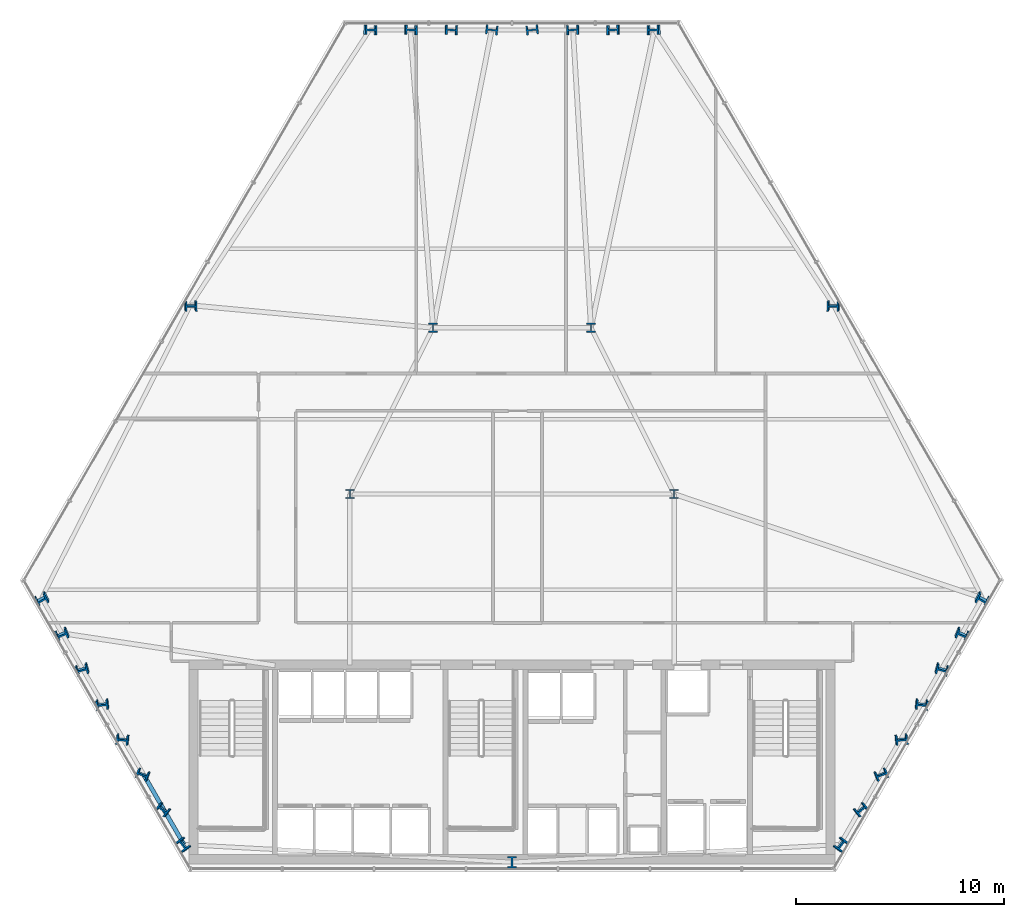
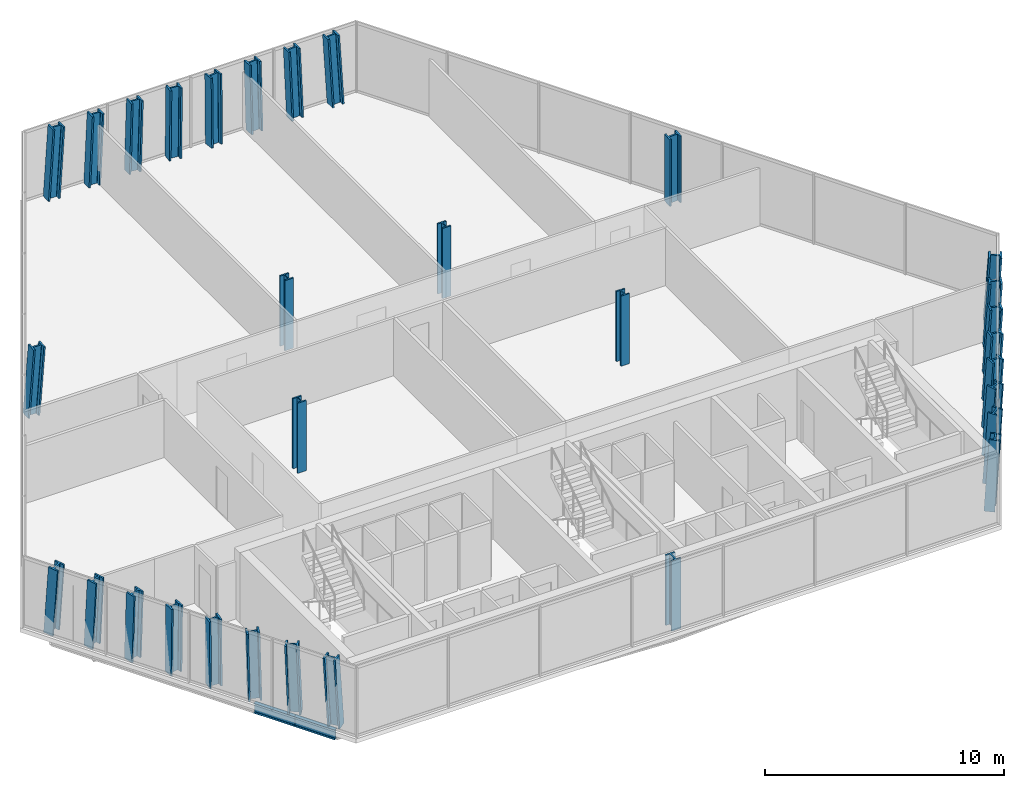
# One storey, part 1 of 32: 31 columns, 2 beams.
"""IFC4 building model written with IfcOpenShell, lengths in metres."""

import ifcopenshell
import ifcopenshell.guid

model = None  # the IFC model being written
_history = None  # IfcOwnerHistory: only IFC2X3 demands one
_inside = {}  # id of a spatial element -> (the spatial element, [elements in it])
_under = {}  # id of a project, library or spatial element -> (it, [spatial elements below it])
_declared = {}  # id of a project -> (the project, [libraries it declares])
_typed = {}  # id of a type object -> (the type object, [elements of that type])
_made_of = {}  # id of a material, layer set ... -> (it, [elements and type objects made of it])


def new_model(schema):
    """Start an empty IFC model of exactly this schema.

    Asked for "IFC4X3", IfcOpenShell would pick the latest addendum, in which some entities
    have other attributes; the version numbers below select the first issue.
    IFC2X3 requires an IfcOwnerHistory on every rooted entity: one is made here for all.
    """
    global model, _history
    if schema == "IFC4X3":
        model = ifcopenshell.file(schema_version=(4, 3, 0, 0))
    else:
        model = ifcopenshell.file(schema=schema)
    _inside.clear()
    _under.clear()
    _declared.clear()
    _typed.clear()
    _made_of.clear()
    _history = None
    if model.schema == "IFC2X3":
        org = make("IfcOrganization", Name="unknown")
        user = make(
            "IfcPersonAndOrganization",
            ThePerson=make("IfcPerson", FamilyName="unknown"),
            TheOrganization=org,
        )
        app = make(
            "IfcApplication",
            ApplicationDeveloper=org,
            Version="unknown",
            ApplicationFullName="unknown",
            ApplicationIdentifier="unknown",
        )
        _history = make(
            "IfcOwnerHistory",
            OwningUser=user,
            OwningApplication=app,
            ChangeAction="ADDED",
            CreationDate=0,
        )
    return model


def make(cls, **values):
    """One entity of the class cls with the attributes given. An attribute that is None is left unset."""
    return model.create_entity(
        cls, **{name: value for name, value in values.items() if value is not None}
    )


def rooted(cls, **values):
    """An entity with a GlobalId (a new one), such as an element, a storey or a relation."""
    return make(cls, GlobalId=ifcopenshell.guid.new(), OwnerHistory=_history, **values)


def si_unit(unit_type, name, prefix=None):
    """IfcSIUnit, for example si_unit("LENGTHUNIT", "METRE", prefix="MILLI")."""
    return make("IfcSIUnit", UnitType=unit_type, Prefix=prefix, Name=name)


def assignment(units):
    """IfcUnitAssignment: the units of a project."""
    return None if units is None else make("IfcUnitAssignment", Units=units)


def point(xyz):
    """IfcCartesianPoint."""
    return None if xyz is None else make("IfcCartesianPoint", Coordinates=xyz)


def direction(xyz):
    """IfcDirection."""
    return None if xyz is None else make("IfcDirection", DirectionRatios=xyz)


def frame(location, z_axis=None, x_axis=None):
    """IfcAxis2Placement3D, a coordinate frame: its origin and axes. An axis left out is left unset."""
    return make(
        "IfcAxis2Placement3D",
        Location=point(location),
        Axis=direction(z_axis),
        RefDirection=direction(x_axis),
    )


def frame_2d(location, x_axis=None):
    """IfcAxis2Placement2D, a coordinate frame in the plane: its origin and x axis."""
    return make(
        "IfcAxis2Placement2D", Location=point(location), RefDirection=direction(x_axis)
    )


def origin():
    """The frame at (0, 0, 0) with its axes left unset."""
    return frame((0.0, 0.0, 0.0))


def origin_2d():
    """The frame at (0, 0) in the plane with its x axis left unset."""
    return frame_2d((0.0, 0.0))


def place(relative_to, where):
    """IfcLocalPlacement: puts the frame where relative to a parent placement (None: the world)."""
    return make(
        "IfcLocalPlacement", PlacementRelTo=relative_to, RelativePlacement=where
    )


def context(
    kind, dimensions, precision=None, world=None, true_north=None, identifier=None
):
    """IfcGeometricRepresentationContext, for example the 3D "Model" context."""
    return make(
        "IfcGeometricRepresentationContext",
        ContextIdentifier=identifier,
        ContextType=kind,
        CoordinateSpaceDimension=dimensions,
        Precision=precision,
        WorldCoordinateSystem=world,
        TrueNorth=true_north,
    )


def subcontext(parent, identifier, kind, view, scale=None):
    """IfcGeometricRepresentationSubContext, for example "Body" below "Model"."""
    return make(
        "IfcGeometricRepresentationSubContext",
        ContextIdentifier=identifier,
        ContextType=kind,
        ParentContext=parent,
        TargetScale=scale,
        TargetView=view,
    )


def project(units=None, contexts=None):
    """IfcProject with its units and contexts."""
    return rooted(
        "IfcProject",
        Name="project",
        RepresentationContexts=contexts,
        UnitsInContext=assignment(units),
    )


def spatial(cls, under=None, at=None, **own):
    """A site, building, storey or space (cls), placed at a placement, below another one or the project."""
    s = rooted(cls, ObjectPlacement=at, **own)
    if under is not None:
        _under.setdefault(under.id(), (under, []))[1].append(s)
    return s


def profile(cls, at=None, kind="AREA", **sizes):
    """A parametric profile (cls). Its sizes go by their IFC names, for example OverallWidth=200.0."""
    return make(cls, ProfileType=kind, Position=at, **sizes)


def i_section(**sizes):
    """IfcIShapeProfileDef."""
    return profile("IfcIShapeProfileDef", **sizes)


def extrude(swept, where, along, depth):
    """IfcExtrudedAreaSolid: the profile swept, set in the frame where, extruded along a direction by depth."""
    return make(
        "IfcExtrudedAreaSolid",
        SweptArea=swept,
        Position=where,
        ExtrudedDirection=direction(along),
        Depth=depth,
    )


def shape(context_of_items, identifier, shape_type, items):
    """IfcShapeRepresentation: the items that make up one representation, for example the "Body"."""
    return make(
        "IfcShapeRepresentation",
        ContextOfItems=context_of_items,
        RepresentationIdentifier=identifier,
        RepresentationType=shape_type,
        Items=items,
    )


def material(Name=None, Category=None):
    """IfcMaterial."""
    return make("IfcMaterial", Name=Name, Category=Category)


def material_profile(
    of_material, cross_section, Name=None, Category=None, Priority=None
):
    """IfcMaterialProfile: a cross section and its material."""
    return make(
        "IfcMaterialProfile",
        Name=Name,
        Material=of_material,
        Profile=cross_section,
        Priority=Priority,
        Category=Category,
    )


def profile_set(profiles, Name=None, composite=None):
    """IfcMaterialProfileSet."""
    return make(
        "IfcMaterialProfileSet",
        Name=Name,
        MaterialProfiles=profiles,
        CompositeProfile=composite,
    )


def made_of(thing, what):
    """Note that an element or type object is made of a material, layer set ...; save() writes the relation."""
    if what is not None:
        _made_of.setdefault(what.id(), (what, []))[1].append(thing)
    return thing


def type_object(cls, material=None, **own):
    """A type object (cls), such as IfcWallType, which elements share."""
    return made_of(rooted(cls, **own), material)


def element(
    cls,
    number,
    at=None,
    inside=None,
    cuts=None,
    type_object=None,
    material=None,
    context=None,
    identifier="Body",
    shape_type=None,
    held_by="IfcProductDefinitionShape",
    body=None,
    shapes=None,
    **own,
):
    """One element of the class cls, such as IfcWall. Its Tag is "e" and its number.

    at: its placement. inside: the storey or other place that contains it. cuts: it is an
    opening in that element (IfcRelVoidsElement). A single representation is given by context,
    identifier, shape_type and body (its items); several are given by shapes. held_by: the class
    of the entity that holds the representations. save() writes the other relations.
    """
    e = rooted(cls, Tag="e%d" % number, ObjectPlacement=at, **own)
    if body is not None:
        shapes = [shape(context, identifier, shape_type, body)]
    if shapes is not None:
        e.Representation = make(held_by, Representations=shapes)
    if inside is not None:
        _inside.setdefault(inside.id(), (inside, []))[1].append(e)
    if cuts is not None:
        rooted(
            "IfcRelVoidsElement", RelatingBuildingElement=cuts, RelatedOpeningElement=e
        )
    if type_object is not None:
        _typed.setdefault(type_object.id(), (type_object, []))[1].append(e)
    return made_of(e, material)


def aggregate(whole, parts):
    """IfcRelAggregates: a whole, such as a stair, and the parts it consists of."""
    return rooted("IfcRelAggregates", RelatingObject=whole, RelatedObjects=parts)


def save(model, path):
    """Write the relations noted so far, then the file.

    IfcRelAggregates (storeys below a building ...), IfcRelContainedInSpatialStructure (elements
    in a storey), IfcRelDefinesByType, IfcRelAssociatesMaterial and IfcRelDeclares: one each for
    every whole, place, type object, material and project.
    """
    for whole, parts in _under.values():
        aggregate(whole, parts)
    for where, things in _inside.values():
        rooted(
            "IfcRelContainedInSpatialStructure",
            RelatedElements=things,
            RelatingStructure=where,
        )
    for kind, things in _typed.values():
        rooted("IfcRelDefinesByType", RelatedObjects=things, RelatingType=kind)
    for what, things in _made_of.values():
        rooted("IfcRelAssociatesMaterial", RelatedObjects=things, RelatingMaterial=what)
    for by, libraries in _declared.values():
        rooted("IfcRelDeclares", RelatingContext=by, RelatedDefinitions=libraries)
    model.write(path)


model = new_model("IFC4")

# Units and contexts
model_context = context("Model", 3, precision=1e-05, world=origin(), true_north=direction((0.0, 1.0)))
body_context = subcontext(model_context, "Body", "Model", "MODEL_VIEW")
ifc_project = project(units=[si_unit("LENGTHUNIT", "METRE"), si_unit("AREAUNIT", "SQUARE_METRE"), si_unit("VOLUMEUNIT", "CUBIC_METRE"), si_unit("PLANEANGLEUNIT", "RADIAN"), si_unit("MASSUNIT", "GRAM", prefix="KILO")], contexts=[model_context])

# Site, building, storey
site_placement = place(None, origin())
site = spatial("IfcSite", under=ifc_project, at=site_placement, CompositionType="ELEMENT")
building_placement = place(site_placement, origin())
building = spatial("IfcBuilding", under=site, at=building_placement, Name="Ndaravel Arena Tower", CompositionType="ELEMENT")
storey_placement = place(building_placement, frame((0.0, 0.0, 55.0)))
storey = spatial("IfcBuildingStorey", under=building, at=storey_placement, Name="L11", CompositionType="ELEMENT", Elevation=55.0)

# Columns
ifc_material_1 = material(Name="Steel S460", Category="steel")
ifc_material_profile_1 = material_profile(ifc_material_1, i_section(OverallWidth=0.41845703125, OverallDepth=0.45556640625, WebThickness=0.0419921875, FlangeThickness=0.0673828125, FilletRadius=0.01513671875, at=origin_2d()), Name="UC 356x406x551")
ifc_profile_set_1 = profile_set([ifc_material_profile_1], Name="Steel S460")
column_type_1 = type_object("IfcColumnType", Name="COL-INT-UC551", PredefinedType="COLUMN", material=ifc_profile_set_1)
for number, where, z_axis, x_axis, name in (
    (1, (34.199951171875, 23.199951171875, 0.0), (0.0, 0.0, 1.0), (1.0, 0.0, 0.0), "L11 Interior Spine Column IC-01"),
    (2, (49.800048828125, 23.199951171875, 0.0), (0.0, 0.0, 1.0), (1.0, 0.0, 0.0), "L11 Interior Spine Column IC-02"),
    (3, (38.199951171875, 31.199951171875, 0.0), (0.0, 0.0, 1.0), (1.0, 0.0, 0.0), "L11 Interior Spine Column IC-03"),
    (4, (45.800048828125, 31.199951171875, 0.0), (0.0, 0.0, 1.0), (1.0, 0.0, 0.0), "L11 Interior Spine Column IC-04"),
):
    element("IfcColumn", number, at=place(storey_placement, frame(where, z_axis=z_axis, x_axis=x_axis)), inside=storey, type_object=column_type_1, Name=name, PredefinedType="COLUMN", context=body_context, shape_type="SweptSolid", body=[
        extrude(i_section(OverallWidth=0.41845703125, OverallDepth=0.45556640625, WebThickness=0.0419921875, FlangeThickness=0.0673828125, FilletRadius=0.01513671875, at=origin_2d()), origin(), (0.0, 0.0, 1.0), 3.580078125),
    ])
ifc_material_2 = material(Name="Steel S460", Category="steel")
ifc_material_profile_2 = material_profile(ifc_material_2, i_section(OverallWidth=0.4541015625, OverallDepth=0.569091796875, WebThickness=0.077880859375, FlangeThickness=0.080078125, FilletRadius=0.014892578125, at=origin_2d()), Name="HD 400x1086")
ifc_profile_set_2 = profile_set([ifc_material_profile_2], Name="Steel S460")
column_type_2 = type_object("IfcColumnType", Name="COL-TUBE-HD1086", PredefinedType="COLUMN", material=ifc_profile_set_2)
column_1_placement = place(storey_placement, frame((42.0, 5.47998046875, 0.0), z_axis=(0.0, 0.0, 1.0), x_axis=(1.0, 0.0, 0.0)))
element("IfcColumn", 5, at=column_1_placement, inside=storey, type_object=column_type_2, Name="L11 Framed Tube Column TC-01", PredefinedType="COLUMN", context=body_context, shape_type="SweptSolid", body=[
    extrude(i_section(OverallWidth=0.4541015625, OverallDepth=0.569091796875, WebThickness=0.077880859375, FlangeThickness=0.080078125, FilletRadius=0.014892578125, at=origin_2d()), origin(), (0.0, 0.0, 1.0), 3.580078125),
])
column_2_placement = place(storey_placement, frame((57.784423828125, 6.327392578125, 0.0), z_axis=(0.066611844608, -0.007756639719, 0.997748814431), x_axis=(-0.800444594015, 0.596586518819, 0.058077340472)))
element("IfcColumn", 6, at=column_2_placement, inside=storey, type_object=column_type_2, Name="L11 Framed Tube Column TC-02", PredefinedType="COLUMN", context=body_context, shape_type="SweptSolid", body=[
    extrude(i_section(OverallWidth=0.4541015625, OverallDepth=0.569091796875, WebThickness=0.077880859375, FlangeThickness=0.080078125, FilletRadius=0.014892578125, at=origin_2d()), origin(), (0.0, 0.0, 1.0), 3.588134765625),
])
for number, where, z_axis, x_axis, name in (
    (7, (58.762939453125, 8.0224609375, 0.0), (0.057716601209, -0.023277214167, 0.998061603933), (-0.614595312521, 0.786999253977, 0.053895974487), "L11 Framed Tube Column TC-03"),
    (8, (59.74169921875, 9.71728515625, 0.0), (0.048664344831, -0.038795351823, 0.998061472164), (-0.364182285005, 0.929766793316, 0.053897804553), "L11 Framed Tube Column TC-04"),
):
    element("IfcColumn", number, at=place(storey_placement, frame(where, z_axis=z_axis, x_axis=x_axis)), inside=storey, type_object=column_type_2, Name=name, PredefinedType="COLUMN", context=body_context, shape_type="SweptSolid", body=[
        extrude(i_section(OverallWidth=0.4541015625, OverallDepth=0.569091796875, WebThickness=0.077880859375, FlangeThickness=0.080078125, FilletRadius=0.014892578125, at=origin_2d()), origin(), (0.0, 0.0, 1.0), 3.5869140625),
    ])
column_3_placement = place(storey_placement, frame((60.72021484375, 11.412353515625, 0.0), z_axis=(0.039735030735, -0.054363509516, 0.997730292296), x_axis=(-0.106207482176, 0.992632496372, 0.058315502877)))
element("IfcColumn", 9, at=column_3_placement, inside=storey, type_object=column_type_2, Name="L11 Framed Tube Column TC-05", PredefinedType="COLUMN", context=body_context, shape_type="SweptSolid", body=[
    extrude(i_section(OverallWidth=0.4541015625, OverallDepth=0.569091796875, WebThickness=0.077880859375, FlangeThickness=0.080078125, FilletRadius=0.014892578125, at=origin_2d()), origin(), (0.0, 0.0, 1.0), 3.588134765625),
])
column_4_placement = place(storey_placement, frame((61.69873046875, 13.107177734375, 0.0), z_axis=(0.030734088605, -0.069763661302, 0.997089989599), x_axis=(0.109437177378, 0.99179878994, 0.066020182372)))
element("IfcColumn", 10, at=column_4_placement, inside=storey, type_object=column_type_2, Name="L11 Framed Tube Column TC-06", PredefinedType="COLUMN", context=body_context, shape_type="SweptSolid", body=[
    extrude(i_section(OverallWidth=0.4541015625, OverallDepth=0.569091796875, WebThickness=0.077880859375, FlangeThickness=0.080078125, FilletRadius=0.014892578125, at=origin_2d()), origin(), (0.0, 0.0, 1.0), 3.590576171875),
])
column_5_placement = place(storey_placement, frame((62.67724609375, 14.80224609375, 0.0), z_axis=(0.021805426841, -0.085251746683, 0.996120807457), x_axis=(0.270637434496, 0.959660292153, 0.076206972871)))
element("IfcColumn", 11, at=column_5_placement, inside=storey, type_object=column_type_2, Name="L11 Framed Tube Column TC-07", PredefinedType="COLUMN", context=body_context, shape_type="SweptSolid", body=[
    extrude(i_section(OverallWidth=0.4541015625, OverallDepth=0.569091796875, WebThickness=0.077880859375, FlangeThickness=0.080078125, FilletRadius=0.014892578125, at=origin_2d()), origin(), (0.0, 0.0, 1.0), 3.593994140625),
])
column_6_placement = place(storey_placement, frame((63.656005859375, 16.4970703125, 0.0), z_axis=(0.012754411853, -0.100610599885, 0.994844124559), x_axis=(0.387677253929, 0.917601477174, 0.087828673412)))
element("IfcColumn", 12, at=column_6_placement, inside=storey, type_object=column_type_2, Name="L11 Framed Tube Column TC-08", PredefinedType="COLUMN", context=body_context, shape_type="SweptSolid", body=[
    extrude(i_section(OverallWidth=0.4541015625, OverallDepth=0.569091796875, WebThickness=0.077880859375, FlangeThickness=0.080078125, FilletRadius=0.014892578125, at=origin_2d()), origin(), (0.0, 0.0, 1.0), 3.5986328125),
])
column_7_placement = place(storey_placement, frame((64.634521484375, 18.19189453125, 0.0), z_axis=(0.003860879186, -0.115826375581, 0.993261971653), x_axis=(0.471065366338, 0.87637002966, 0.100364295202)))
element("IfcColumn", 13, at=column_7_placement, inside=storey, type_object=column_type_2, Name="L11 Framed Tube Column TC-09", PredefinedType="COLUMN", context=body_context, shape_type="SweptSolid", body=[
    extrude(i_section(OverallWidth=0.4541015625, OverallDepth=0.569091796875, WebThickness=0.077880859375, FlangeThickness=0.080078125, FilletRadius=0.014892578125, at=origin_2d()), origin(), (0.0, 0.0, 1.0), 3.604248046875),
])
column_8_placement = place(storey_placement, frame((57.476318359375, 32.285400390625, 0.0), z_axis=(-0.03618442168, -0.062574563807, 0.99738413442), x_axis=(-0.00045136117, 0.99803864152, 0.06259925164)))
element("IfcColumn", 14, at=column_8_placement, inside=storey, type_object=column_type_2, Name="L11 Framed Tube Column TC-10", PredefinedType="COLUMN", context=body_context, shape_type="SweptSolid", body=[
    extrude(i_section(OverallWidth=0.4541015625, OverallDepth=0.569091796875, WebThickness=0.077880859375, FlangeThickness=0.080078125, FilletRadius=0.014892578125, at=origin_2d()), origin(), (0.0, 0.0, 1.0), 3.58935546875),
])
column_9_placement = place(storey_placement, frame((48.85009765625, 45.531494140625, 0.0), z_axis=(-0.06275112158, -0.001020896772, 0.998028684212), x_axis=(0.01626682787, -0.999867686402, 0.0)))
element("IfcColumn", 15, at=column_9_placement, inside=storey, type_object=column_type_2, Name="L11 Framed Tube Column TC-11", PredefinedType="COLUMN", context=body_context, shape_type="SweptSolid", body=[
    extrude(i_section(OverallWidth=0.4541015625, OverallDepth=0.569091796875, WebThickness=0.077880859375, FlangeThickness=0.080078125, FilletRadius=0.014892578125, at=origin_2d()), origin(), (0.0, 0.0, 1.0), 3.587158203125),
])
column_10_placement = place(storey_placement, frame((46.892822265625, 45.531494140625, 0.0), z_axis=(-0.044826665385, -0.001021884469, 0.998994257152), x_axis=(0.022790431559, -0.999740264383, 0.0)))
element("IfcColumn", 16, at=column_10_placement, inside=storey, type_object=column_type_2, Name="L11 Framed Tube Column TC-12", PredefinedType="COLUMN", context=body_context, shape_type="SweptSolid", body=[
    extrude(i_section(OverallWidth=0.4541015625, OverallDepth=0.569091796875, WebThickness=0.077880859375, FlangeThickness=0.080078125, FilletRadius=0.014892578125, at=origin_2d()), origin(), (0.0, 0.0, 1.0), 3.583740234375),
])
column_11_placement = place(storey_placement, frame((44.935791015625, 45.531494140625, 0.0), z_axis=(-0.026926934543, -0.001022541818, 0.999636881375), x_axis=(0.037947331922, -0.999279740613, 0.0)))
element("IfcColumn", 17, at=column_11_placement, inside=storey, type_object=column_type_2, Name="L11 Framed Tube Column TC-13", PredefinedType="COLUMN", context=body_context, shape_type="SweptSolid", body=[
    extrude(i_section(OverallWidth=0.4541015625, OverallDepth=0.569091796875, WebThickness=0.077880859375, FlangeThickness=0.080078125, FilletRadius=0.014892578125, at=origin_2d()), origin(), (0.0, 0.0, 1.0), 3.581298828125),
])
for number, where, z_axis, x_axis, name in (
    (18, (42.978515625, 45.531494140625, 0.0), (-0.009001267276, -0.001022871281, 0.999958964619), (0.112909688044, -0.99360525479, 0.0), "L11 Framed Tube Column TC-14"),
    (19, (41.021484375, 45.531494140625, 0.0), (0.009001267276, -0.001022871281, 0.999958964619), (0.112909688044, 0.99360525479, 0.0), "L11 Framed Tube Column TC-15"),
):
    element("IfcColumn", number, at=place(storey_placement, frame(where, z_axis=z_axis, x_axis=x_axis)), inside=storey, type_object=column_type_2, Name=name, PredefinedType="COLUMN", context=body_context, shape_type="SweptSolid", body=[
        extrude(i_section(OverallWidth=0.4541015625, OverallDepth=0.569091796875, WebThickness=0.077880859375, FlangeThickness=0.080078125, FilletRadius=0.014892578125, at=origin_2d()), origin(), (0.0, 0.0, 1.0), 3.580322265625),
    ])
column_12_placement = place(storey_placement, frame((39.064208984375, 45.531494140625, 0.0), z_axis=(0.026926934543, -0.001022541818, 0.999636881375), x_axis=(0.037947331922, 0.999279740613, 0.0)))
element("IfcColumn", 20, at=column_12_placement, inside=storey, type_object=column_type_2, Name="L11 Framed Tube Column TC-16", PredefinedType="COLUMN", context=body_context, shape_type="SweptSolid", body=[
    extrude(i_section(OverallWidth=0.4541015625, OverallDepth=0.569091796875, WebThickness=0.077880859375, FlangeThickness=0.080078125, FilletRadius=0.014892578125, at=origin_2d()), origin(), (0.0, 0.0, 1.0), 3.581298828125),
])
column_13_placement = place(storey_placement, frame((37.107177734375, 45.531494140625, 0.0), z_axis=(0.044826665385, -0.001021884469, 0.998994257152), x_axis=(0.022790431559, 0.999740264383, 0.0)))
element("IfcColumn", 21, at=column_13_placement, inside=storey, type_object=column_type_2, Name="L11 Framed Tube Column TC-17", PredefinedType="COLUMN", context=body_context, shape_type="SweptSolid", body=[
    extrude(i_section(OverallWidth=0.4541015625, OverallDepth=0.569091796875, WebThickness=0.077880859375, FlangeThickness=0.080078125, FilletRadius=0.014892578125, at=origin_2d()), origin(), (0.0, 0.0, 1.0), 3.583740234375),
])
column_14_placement = place(storey_placement, frame((35.14990234375, 45.531494140625, 0.0), z_axis=(0.06275112158, -0.001020896772, 0.998028684212), x_axis=(0.01626682787, 0.999867686402, 0.0)))
element("IfcColumn", 22, at=column_14_placement, inside=storey, type_object=column_type_2, Name="L11 Framed Tube Column TC-18", PredefinedType="COLUMN", context=body_context, shape_type="SweptSolid", body=[
    extrude(i_section(OverallWidth=0.4541015625, OverallDepth=0.569091796875, WebThickness=0.077880859375, FlangeThickness=0.080078125, FilletRadius=0.014892578125, at=origin_2d()), origin(), (0.0, 0.0, 1.0), 3.587158203125),
])
column_15_placement = place(storey_placement, frame((26.523681640625, 32.285400390625, 0.0), z_axis=(0.03618442168, -0.062574563807, 0.99738413442), x_axis=(0.00045136117, 0.99803864152, 0.06259925164)))
element("IfcColumn", 23, at=column_15_placement, inside=storey, type_object=column_type_2, Name="L11 Framed Tube Column TC-19", PredefinedType="COLUMN", context=body_context, shape_type="SweptSolid", body=[
    extrude(i_section(OverallWidth=0.4541015625, OverallDepth=0.569091796875, WebThickness=0.077880859375, FlangeThickness=0.080078125, FilletRadius=0.014892578125, at=origin_2d()), origin(), (0.0, 0.0, 1.0), 3.58935546875),
])
column_16_placement = place(storey_placement, frame((19.365478515625, 18.19189453125, 0.0), z_axis=(-0.003860879186, -0.115826375581, 0.993261971653), x_axis=(-0.471065366338, 0.87637002966, 0.100364295202)))
element("IfcColumn", 24, at=column_16_placement, inside=storey, type_object=column_type_2, Name="L11 Framed Tube Column TC-20", PredefinedType="COLUMN", context=body_context, shape_type="SweptSolid", body=[
    extrude(i_section(OverallWidth=0.4541015625, OverallDepth=0.569091796875, WebThickness=0.077880859375, FlangeThickness=0.080078125, FilletRadius=0.014892578125, at=origin_2d()), origin(), (0.0, 0.0, 1.0), 3.604248046875),
])
column_17_placement = place(storey_placement, frame((20.343994140625, 16.4970703125, 0.0), z_axis=(-0.012754411853, -0.100610599885, 0.994844124559), x_axis=(-0.387677253929, 0.917601477174, 0.087828673412)))
element("IfcColumn", 25, at=column_17_placement, inside=storey, type_object=column_type_2, Name="L11 Framed Tube Column TC-21", PredefinedType="COLUMN", context=body_context, shape_type="SweptSolid", body=[
    extrude(i_section(OverallWidth=0.4541015625, OverallDepth=0.569091796875, WebThickness=0.077880859375, FlangeThickness=0.080078125, FilletRadius=0.014892578125, at=origin_2d()), origin(), (0.0, 0.0, 1.0), 3.5986328125),
])
column_18_placement = place(storey_placement, frame((21.32275390625, 14.80224609375, 0.0), z_axis=(-0.021805426841, -0.085251746683, 0.996120807457), x_axis=(-0.270637434496, 0.959660292153, 0.076206972871)))
element("IfcColumn", 26, at=column_18_placement, inside=storey, type_object=column_type_2, Name="L11 Framed Tube Column TC-22", PredefinedType="COLUMN", context=body_context, shape_type="SweptSolid", body=[
    extrude(i_section(OverallWidth=0.4541015625, OverallDepth=0.569091796875, WebThickness=0.077880859375, FlangeThickness=0.080078125, FilletRadius=0.014892578125, at=origin_2d()), origin(), (0.0, 0.0, 1.0), 3.593994140625),
])
column_19_placement = place(storey_placement, frame((22.30126953125, 13.107177734375, 0.0), z_axis=(-0.030734088605, -0.069763661302, 0.997089989599), x_axis=(-0.109437177378, 0.99179878994, 0.066020182372)))
element("IfcColumn", 27, at=column_19_placement, inside=storey, type_object=column_type_2, Name="L11 Framed Tube Column TC-23", PredefinedType="COLUMN", context=body_context, shape_type="SweptSolid", body=[
    extrude(i_section(OverallWidth=0.4541015625, OverallDepth=0.569091796875, WebThickness=0.077880859375, FlangeThickness=0.080078125, FilletRadius=0.014892578125, at=origin_2d()), origin(), (0.0, 0.0, 1.0), 3.590576171875),
])
column_20_placement = place(storey_placement, frame((23.27978515625, 11.412353515625, 0.0), z_axis=(-0.039735030735, -0.054363509516, 0.997730292296), x_axis=(0.106207482176, 0.992632496372, 0.058315502877)))
element("IfcColumn", 28, at=column_20_placement, inside=storey, type_object=column_type_2, Name="L11 Framed Tube Column TC-24", PredefinedType="COLUMN", context=body_context, shape_type="SweptSolid", body=[
    extrude(i_section(OverallWidth=0.4541015625, OverallDepth=0.569091796875, WebThickness=0.077880859375, FlangeThickness=0.080078125, FilletRadius=0.014892578125, at=origin_2d()), origin(), (0.0, 0.0, 1.0), 3.588134765625),
])
for number, where, z_axis, x_axis, name in (
    (29, (24.25830078125, 9.71728515625, 0.0), (-0.048664344831, -0.038795351823, 0.998061472164), (0.364182285005, 0.929766793316, 0.053897804553), "L11 Framed Tube Column TC-25"),
    (30, (25.237060546875, 8.0224609375, 0.0), (-0.057716601209, -0.023277214167, 0.998061603933), (0.614595312521, 0.786999253977, 0.053895974487), "L11 Framed Tube Column TC-26"),
):
    element("IfcColumn", number, at=place(storey_placement, frame(where, z_axis=z_axis, x_axis=x_axis)), inside=storey, type_object=column_type_2, Name=name, PredefinedType="COLUMN", context=body_context, shape_type="SweptSolid", body=[
        extrude(i_section(OverallWidth=0.4541015625, OverallDepth=0.569091796875, WebThickness=0.077880859375, FlangeThickness=0.080078125, FilletRadius=0.014892578125, at=origin_2d()), origin(), (0.0, 0.0, 1.0), 3.5869140625),
    ])
column_21_placement = place(storey_placement, frame((26.215576171875, 6.327392578125, 0.0), z_axis=(-0.066611844608, -0.007756639719, 0.997748814431), x_axis=(0.800444594015, 0.596586518819, 0.058077340472)))
element("IfcColumn", 31, at=column_21_placement, inside=storey, type_object=column_type_2, Name="L11 Framed Tube Column TC-27", PredefinedType="COLUMN", context=body_context, shape_type="SweptSolid", body=[
    extrude(i_section(OverallWidth=0.4541015625, OverallDepth=0.569091796875, WebThickness=0.077880859375, FlangeThickness=0.080078125, FilletRadius=0.014892578125, at=origin_2d()), origin(), (0.0, 0.0, 1.0), 3.588134765625),
])

# Beams
ifc_material_3 = material(Name="Steel S355", Category="steel")
ifc_material_profile_3 = material_profile(ifc_material_3, i_section(OverallWidth=0.199951171875, OverallDepth=0.5, WebThickness=0.01025390625, FlangeThickness=0.01611328125, FilletRadius=0.02099609375, at=origin_2d()), Name="IPE 500")
ifc_profile_set_3 = profile_set([ifc_material_profile_3], Name="Steel S355")
beam_type = type_object("IfcBeamType", Name="BM-SPAN-IPE500", PredefinedType="SPANDREL", material=ifc_profile_set_3)
beam_1_placement = place(storey_placement, frame((24.25830078125, 9.71728515625, -0.469970703125), z_axis=(0.500096775829, -0.865969523024, 0.0), x_axis=(0.865969523024, 0.500096775829, 0.0)))
element("IfcBeam", 32, at=beam_1_placement, inside=storey, type_object=beam_type, Name="L11 Perimeter Spandrel Beam SP-25", PredefinedType="SPANDREL", context=body_context, shape_type="SweptSolid", body=[
    extrude(i_section(OverallWidth=0.199951171875, OverallDepth=0.5, WebThickness=0.01025390625, FlangeThickness=0.01611328125, FilletRadius=0.02099609375, at=origin_2d()), origin(), (0.0, 0.0, 1.0), 1.95703125),
])
beam_2_placement = place(storey_placement, frame((25.237060546875, 8.0224609375, -0.469970703125), z_axis=(0.49994920724, -0.866054727012, 0.0), x_axis=(0.866054727012, 0.49994920724, 0.0)))
element("IfcBeam", 33, at=beam_2_placement, inside=storey, type_object=beam_type, Name="L11 Perimeter Spandrel Beam SP-26", PredefinedType="SPANDREL", context=body_context, shape_type="SweptSolid", body=[
    extrude(i_section(OverallWidth=0.199951171875, OverallDepth=0.5, WebThickness=0.01025390625, FlangeThickness=0.01611328125, FilletRadius=0.02099609375, at=origin_2d()), origin(), (0.0, 0.0, 1.0), 1.957275390625),
])

save(model, "model.ifc")
